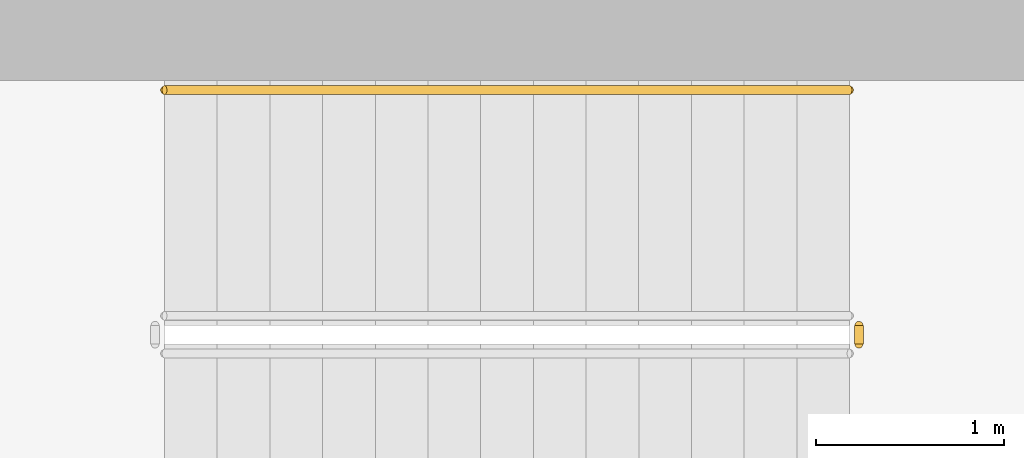
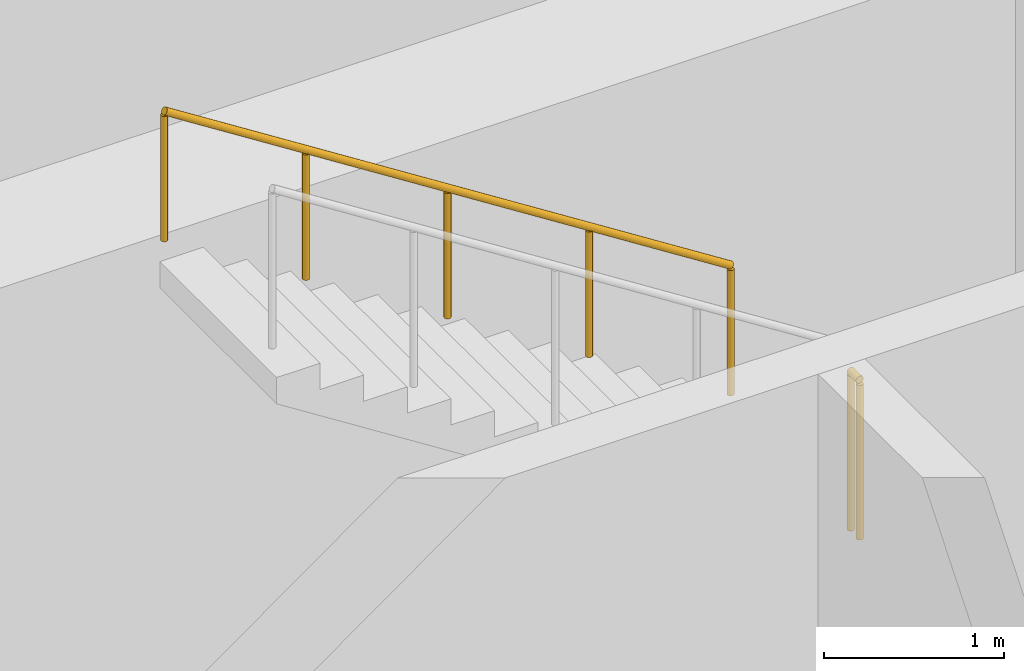
# One storey, part 26 of 35: 2 railings.
"""IFC4 building model written with IfcOpenShell, lengths in metres."""

from ifc_helpers import new_model, si_unit, direction, frame, origin, origin_2d, place, context, subcontext, project, spatial, circle, extrude, material, type_object, element, save


model = new_model("IFC4")

# Units and contexts
model_context = context("Model", 3, precision=1e-05, world=origin(), true_north=direction((0.0, 1.0)))
body_context = subcontext(model_context, "Body", "Model", "MODEL_VIEW")
ifc_project = project(units=[si_unit("LENGTHUNIT", "METRE"), si_unit("AREAUNIT", "SQUARE_METRE"), si_unit("VOLUMEUNIT", "CUBIC_METRE"), si_unit("PLANEANGLEUNIT", "RADIAN"), si_unit("MASSUNIT", "GRAM", prefix="KILO")], contexts=[model_context])

# Site, building, storey
site_placement = place(None, origin())
site = spatial("IfcSite", under=ifc_project, at=site_placement, CompositionType="ELEMENT")
building_placement = place(site_placement, origin())
building = spatial("IfcBuilding", under=site, at=building_placement, Name="Ogive Portal Towers", CompositionType="ELEMENT")
storey_placement = place(building_placement, frame((0.0, 0.0, 23.5)))
storey = spatial("IfcBuildingStorey", under=building, at=storey_placement, Name="L04", CompositionType="ELEMENT", Elevation=23.5)

# Railings
ifc_material_1 = material(Name="Stainless steel balustrade", Category="steel")
railing_type_1 = type_object("IfcRailingType", Name="INT-GUARD", PredefinedType="GUARDRAIL", material=ifc_material_1)
railing_1_placement = place(storey_placement, frame((56.239990234375, 37.64990234375, 2.5)))
element("IfcRailing", 1, at=railing_1_placement, inside=storey, type_object=railing_type_1, Name="L04 ST-A2 stair guard 2", PredefinedType="GUARDRAIL", context=body_context, shape_type="SweptSolid", body=[
    extrude(circle(Radius=0.02392578125, at=origin_2d()), frame((0.0, 0.0, 1.076171875), z_axis=(0.0, 1.0, 0.0), x_axis=(-1.0, 0.0, 0.0)), (0.0, 0.0, 1.0), 0.10009765625),
    extrude(circle(Radius=0.02099609375, at=origin_2d()), origin(), (0.0, 0.0, 1.0), 1.052001953125),
    extrude(circle(Radius=0.02099609375, at=origin_2d()), frame((0.0, 0.10009765625, 0.0)), (0.0, 0.0, 1.0), 1.052001953125),
])
ifc_material_2 = material(Name="Stainless steel handrail", Category="steel")
railing_type_2 = type_object("IfcRailingType", Name="INT-HANDRAIL", PredefinedType="HANDRAIL", material=ifc_material_2)
railing_2_placement = place(storey_placement, frame((56.18994140625, 39.0, 2.678466796875)))
element("IfcRailing", 2, at=railing_2_placement, inside=storey, type_object=railing_type_2, Name="L04 ST-A2 stair handrail 2", PredefinedType="HANDRAIL", context=body_context, shape_type="SweptSolid", body=[
    extrude(circle(Radius=0.02392578125, at=origin_2d()), frame((0.0, 0.0, 0.8759765625), z_axis=(-0.843111507901, 0.0, 0.53773877045), x_axis=(0.0, -1.0, 0.0)), (0.0, 0.0, 1.0), 4.317138671875),
    extrude(circle(Radius=0.02099609375, at=origin_2d()), origin(), (0.0, 0.0, 1.0), 0.851806640625),
    extrude(circle(Radius=0.02099609375, at=origin_2d()), frame((-0.909912109375, 0.0, 0.580322265625)), (0.0, 0.0, 1.0), 0.851806640625),
    extrude(circle(Radius=0.02099609375, at=origin_2d()), frame((-1.81982421875, 0.0, 1.16064453125)), (0.0, 0.0, 1.0), 0.851806640625),
    extrude(circle(Radius=0.02099609375, at=origin_2d()), frame((-2.72998046875, 0.0, 1.7412109375)), (0.0, 0.0, 1.0), 0.851806640625),
    extrude(circle(Radius=0.02099609375, at=origin_2d()), frame((-3.639892578125, 0.0, 2.321533203125)), (0.0, 0.0, 1.0), 0.851806640625),
])

save(model, "model.ifc")
